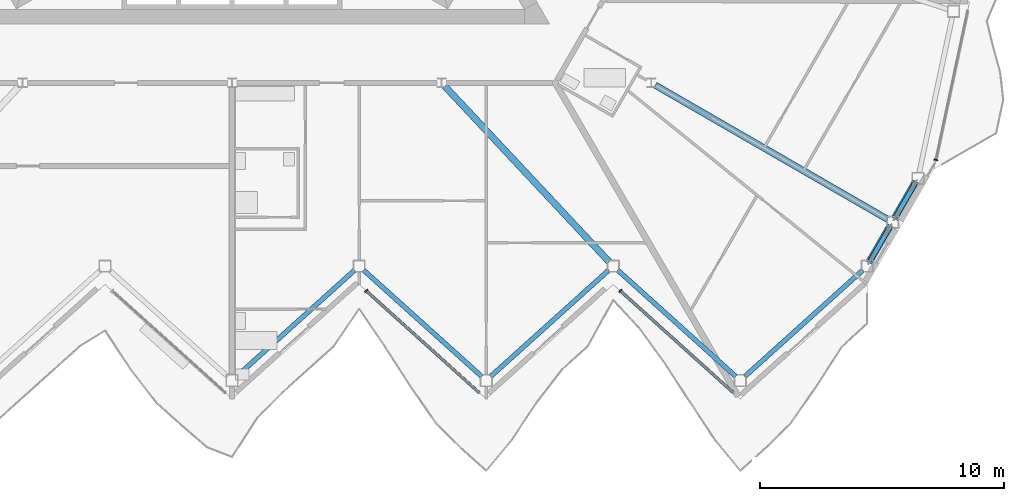
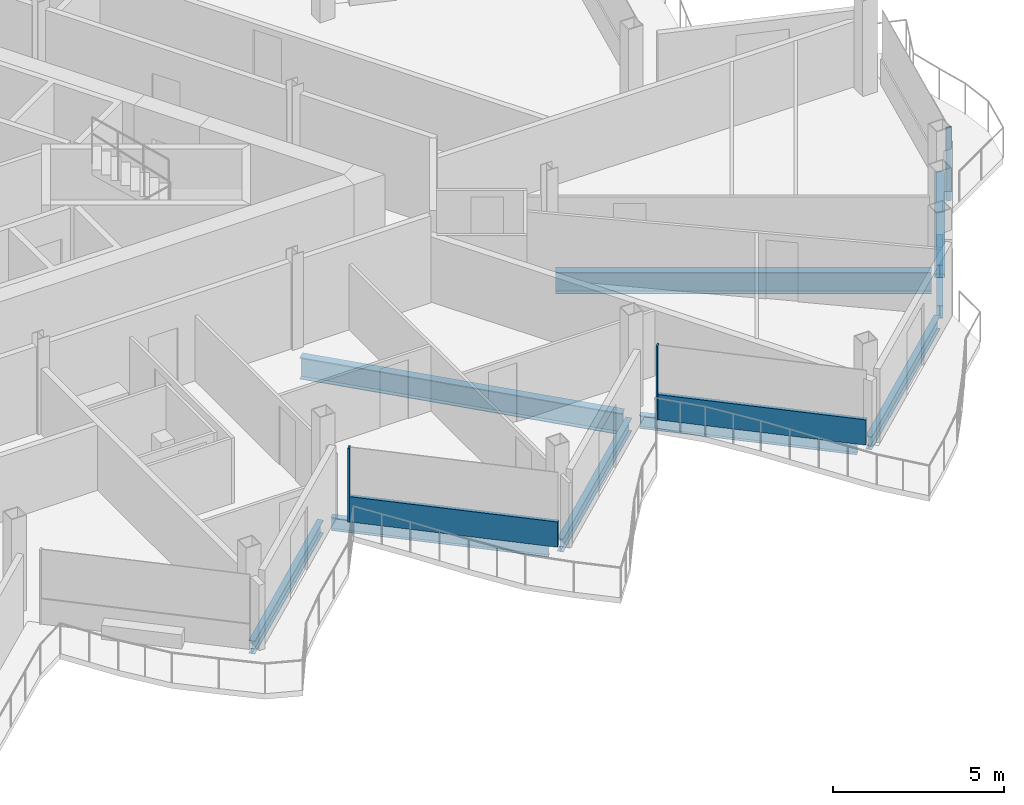
# One storey, part 7 of 26: 9 beams, 7 members, 3 elements without a shape of their own.
"""IFC4 building model written with IfcOpenShell, lengths in metres."""

from ifc_helpers import new_model, si_unit, direction, frame, origin, origin_2d, place, context, subcontext, project, spatial, rectangle, hollow_rectangle, i_section, extrude, material, layer, layer_set, material_profile, profile_set, type_object, element, aggregate, save


model = new_model("IFC4")

# Units and contexts
model_context = context("Model", 3, precision=1e-05, world=origin(), true_north=direction((0.0, 1.0)))
body_context = subcontext(model_context, "Body", "Model", "MODEL_VIEW")
ifc_project = project(units=[si_unit("LENGTHUNIT", "METRE"), si_unit("AREAUNIT", "SQUARE_METRE"), si_unit("VOLUMEUNIT", "CUBIC_METRE"), si_unit("PLANEANGLEUNIT", "RADIAN"), si_unit("MASSUNIT", "GRAM", prefix="KILO")], contexts=[model_context])

# Site, building, storey
site_placement = place(None, origin())
site = spatial("IfcSite", under=ifc_project, at=site_placement, CompositionType="ELEMENT")
building_placement = place(site_placement, origin())
building = spatial("IfcBuilding", under=site, at=building_placement, Name="Cormorant Prow Tower", CompositionType="ELEMENT")
storey_placement = place(building_placement, frame((0.0, 0.0, 364.39990234375)))
storey = spatial("IfcBuildingStorey", under=building, at=storey_placement, Name="L81", CompositionType="ELEMENT", Elevation=364.39990234375)

# Members
ifc_material_1 = material(Name="Structural steel ASTM A500 Gr C", Category="steel")
ifc_material_profile_1 = material_profile(ifc_material_1, hollow_rectangle(XDim=0.3046875, YDim=0.3046875, WallThickness=0.01171875, at=origin_2d()), Name="HSS12x12x1/2")
ifc_profile_set_1 = profile_set([ifc_material_profile_1], Name="Structural steel ASTM A500 Gr C")
member_type_1 = type_object("IfcMemberType", Name="Chamfer brace HSS12x12x1/2", PredefinedType="BRACE", material=ifc_profile_set_1)
member_1_placement = place(storey_placement, frame((26.123291015625, -17.192138671875, 0.770751953125), z_axis=(0.41132825952, 0.712359043209, 0.568641940485), x_axis=(-0.866000359435, 0.500043375578, 0.0)))
element("IfcMember", 1, at=member_1_placement, inside=storey, type_object=member_type_1, Name="Chamfer brace BR3 at ESE00 L81", PredefinedType="BRACE", context=body_context, shape_type="SweptSolid", body=[
    extrude(hollow_rectangle(XDim=0.3046875, YDim=0.3046875, WallThickness=0.01171875, at=origin_2d()), origin(), (0.0, 0.0, 1.0), 1.92138671875),
])
member_2_placement = place(storey_placement, frame((27.160400390625, -15.39599609375, 0.770751953125), z_axis=(0.411259909174, 0.712333680754, 0.568723143867), x_axis=(-0.866028632512, 0.499994407638, 0.0)))
element("IfcMember", 2, at=member_2_placement, inside=storey, type_object=member_type_1, Name="Chamfer brace BR3 at ESE01 L81", PredefinedType="BRACE", context=body_context, shape_type="SweptSolid", body=[
    extrude(hollow_rectangle(XDim=0.3046875, YDim=0.3046875, WallThickness=0.01171875, at=origin_2d()), origin(), (0.0, 0.0, 1.0), 1.921142578125),
])

# Beams
ifc_material_2 = material(Name="Structural steel ASTM A992 Gr 50", Category="steel")
ifc_material_profile_2 = material_profile(ifc_material_2, i_section(OverallWidth=0.267822265625, OverallDepth=0.77001953125, WebThickness=0.015625, FlangeThickness=0.025390625, at=origin_2d()), Name="W30x132")
ifc_profile_set_2 = profile_set([ifc_material_profile_2], Name="Structural steel ASTM A992 Gr 50")
beam_type_1 = type_object("IfcBeamType", Name="Radial floor beam W30x132", PredefinedType="BEAM", material=ifc_profile_set_2)
beam_1_placement = place(storey_placement, frame((8.706298828125, -10.0419921875, -0.684814453125), z_axis=(0.683430760659, -0.730015339144, 0.0), x_axis=(0.730015339144, 0.683430760659, 0.0)))
element("IfcBeam", 3, at=beam_1_placement, inside=storey, type_object=beam_type_1, Name="Radial floor beam FB3 8 L81", PredefinedType="BEAM", context=body_context, shape_type="SweptSolid", body=[
    extrude(i_section(OverallWidth=0.267822265625, OverallDepth=0.77001953125, WebThickness=0.015625, FlangeThickness=0.025390625, at=origin_2d()), origin(), (0.0, 0.0, 1.0), 9.8369140625),
])
beam_2_placement = place(storey_placement, frame((17.31884765625, -9.9990234375, -0.684814453125), z_axis=(0.866018830095, -0.500011385791, 0.0), x_axis=(0.500011385791, 0.866018830095, 0.0)))
element("IfcBeam", 4, at=beam_2_placement, inside=storey, type_object=beam_type_1, Name="Radial floor beam FB3 9 L81", PredefinedType="BEAM", context=body_context, shape_type="SweptSolid", body=[
    extrude(i_section(OverallWidth=0.267822265625, OverallDepth=0.77001953125, WebThickness=0.015625, FlangeThickness=0.025390625, at=origin_2d()), origin(), (0.0, 0.0, 1.0), 10.971435546875),
])

# Curtain wall, member
ifc_material_3 = material(Name="Aluminium 6063-T6", Category="aluminium")
ifc_layer = layer(ifc_material_3, 0.159912109375)
ifc_layer_set = layer_set([ifc_layer], Name="Aluminium 6063-T6")
curtain_wall_type = type_object("IfcCurtainWallType", Name="Residential unitised curtain wall 160", PredefinedType="NOTDEFINED", material=ifc_layer_set)
curtain_wall_1_placement = place(storey_placement, origin())
curtain_wall_1 = element("IfcCurtainWall", 5, at=curtain_wall_1_placement, inside=storey, type_object=curtain_wall_type, Name="Residential curtain wall S06", PredefinedType="NOTDEFINED")
ifc_material_4 = material(Name="Aluminium 6063-T6", Category="aluminium")
ifc_material_profile_3 = material_profile(ifc_material_4, rectangle(XDim=0.159912109375, YDim=0.050048828125, at=origin_2d()), Name="Residential mullion 50x160")
ifc_profile_set_3 = profile_set([ifc_material_profile_3], Name="Aluminium 6063-T6")
member_type_2 = type_object("IfcMemberType", Name="Residential mullion 50x160", PredefinedType="MULLION", material=ifc_profile_set_3)
member_3_placement = place(storey_placement, frame((5.490478515625, -18.4189453125, 0.0), z_axis=(0.0, 0.0, 1.0), x_axis=(0.669130682884, 0.743144756574, 0.0)))
member_3 = element("IfcMember", 6, at=member_3_placement, type_object=member_type_2, Name="Residential mullion S06", PredefinedType="MULLION", context=body_context, shape_type="SweptSolid", body=[
    extrude(rectangle(XDim=0.159912109375, YDim=0.050048828125, at=origin_2d()), origin(), (0.0, 0.0, 1.0), 2.634033203125),
])

curtain_wall_2_placement = place(storey_placement, origin())
curtain_wall_2 = element("IfcCurtainWall", 7, at=curtain_wall_2_placement, inside=storey, type_object=curtain_wall_type, Name="Residential curtain wall S08", PredefinedType="NOTDEFINED")
member_4_placement = place(storey_placement, frame((15.890625, -18.4189453125, 0.0), z_axis=(0.0, 0.0, 1.0), x_axis=(0.669130682884, 0.743144756574, 0.0)))
member_4 = element("IfcMember", 8, at=member_4_placement, type_object=member_type_2, Name="Residential mullion S08", PredefinedType="MULLION", context=body_context, shape_type="SweptSolid", body=[
    extrude(rectangle(XDim=0.159912109375, YDim=0.050048828125, at=origin_2d()), origin(), (0.0, 0.0, 1.0), 2.634033203125),
])

curtain_wall_3_placement = place(storey_placement, origin())
curtain_wall_3 = element("IfcCurtainWall", 9, at=curtain_wall_3_placement, inside=storey, type_object=curtain_wall_type, Name="Residential curtain wall ENE00", PredefinedType="NOTDEFINED")
member_5_placement = place(storey_placement, frame((28.805908203125, -13.055419921875, 0.0), z_axis=(0.0, 0.0, 1.0), x_axis=(-0.978147586701, 0.207911756835, 0.0)))
member_5 = element("IfcMember", 10, at=member_5_placement, type_object=member_type_2, Name="Residential mullion ENE00", PredefinedType="MULLION", context=body_context, shape_type="SweptSolid", body=[
    extrude(rectangle(XDim=0.159912109375, YDim=0.050048828125, at=origin_2d()), origin(), (0.0, 0.0, 1.0), 2.634033203125),
])
aggregate(curtain_wall_3, [member_5])

# Member
ifc_material_5 = material(Name="Terracotta", Category="masonry")
ifc_material_profile_4 = material_profile(ifc_material_5, rectangle(XDim=0.1201171875, YDim=0.89990234375, at=origin_2d()), Name="Residential terracotta spandrel rail 120x900")
ifc_profile_set_4 = profile_set([ifc_material_profile_4], Name="Terracotta")
member_type_3 = type_object("IfcMemberType", Name="Residential terracotta spandrel rail 120x900", PredefinedType="USERDEFINED", material=ifc_profile_set_4)
member_6_placement = place(storey_placement, frame((5.509033203125, -18.435791015625, 0.4501953125), z_axis=(0.743159360055, -0.669114463723, 0.0), x_axis=(0.669114463723, 0.743159360055, 0.0)))
member_6 = element("IfcMember", 11, at=member_6_placement, type_object=member_type_3, Name="Residential spandrel rail S06", ObjectType="TRANSOM", PredefinedType="USERDEFINED", context=body_context, shape_type="SweptSolid", body=[
    extrude(rectangle(XDim=0.1201171875, YDim=0.89990234375, at=origin_2d()), origin(), (0.0, 0.0, 1.0), 6.21533203125),
])

aggregate(curtain_wall_1, [member_3, member_6])

member_7_placement = place(storey_placement, frame((15.9091796875, -18.435791015625, 0.4501953125), z_axis=(0.743159360055, -0.669114463723, 0.0), x_axis=(0.669114463723, 0.743159360055, 0.0)))
member_7 = element("IfcMember", 12, at=member_7_placement, type_object=member_type_3, Name="Residential spandrel rail S08", ObjectType="TRANSOM", PredefinedType="USERDEFINED", context=body_context, shape_type="SweptSolid", body=[
    extrude(rectangle(XDim=0.1201171875, YDim=0.89990234375, at=origin_2d()), origin(), (0.0, 0.0, 1.0), 6.21533203125),
])

aggregate(curtain_wall_2, [member_4, member_7])

# Beams
ifc_material_6 = material(Name="Structural steel ASTM A992 Gr 50", Category="steel")
ifc_material_profile_5 = material_profile(ifc_material_6, i_section(OverallWidth=0.19287109375, OverallDepth=0.466064453125, WebThickness=0.011474609375, FlangeThickness=0.01904296875, at=origin_2d()), Name="W18x65")
ifc_profile_set_5 = profile_set([ifc_material_profile_5], Name="Structural steel ASTM A992 Gr 50")
beam_type_2 = type_object("IfcBeamType", Name="Spandrel beam W18x65", PredefinedType="SPANDREL", material=ifc_profile_set_5)
for number, where, z_axis, x_axis, name in (
    (13, (0.185791015625, -21.920654296875, -0.532958984375), (0.743131573737, 0.669145323614, 0.0), (-0.669145323614, 0.743131573737, 0.0), "Spandrel beam SB4 S05-S06 L81"),
    (14, (5.3857421875, -17.572998046875, -0.532958984375), (0.743131573737, -0.669145323614, 0.0), (0.669145323614, 0.743131573737, 0.0), "Spandrel beam SB4 S06-S07 L81"),
):
    element("IfcBeam", number, at=place(storey_placement, frame(where, z_axis=z_axis, x_axis=x_axis)), inside=storey, type_object=beam_type_2, Name=name, PredefinedType="SPANDREL", context=body_context, shape_type="SweptSolid", body=[
        extrude(i_section(OverallWidth=0.19287109375, OverallDepth=0.466064453125, WebThickness=0.011474609375, FlangeThickness=0.01904296875, at=origin_2d()), origin(), (0.0, 0.0, 1.0), 6.497314453125),
    ])
beam_3_placement = place(storey_placement, frame((10.585693359375, -21.920654296875, -0.532958984375), z_axis=(0.743148397689, 0.669126638995, 0.0), x_axis=(-0.669126638995, 0.743148397689, 0.0)))
element("IfcBeam", 15, at=beam_3_placement, inside=storey, type_object=beam_type_2, Name="Spandrel beam SB4 S07-S08 L81", PredefinedType="SPANDREL", context=body_context, shape_type="SweptSolid", body=[
    extrude(i_section(OverallWidth=0.19287109375, OverallDepth=0.466064453125, WebThickness=0.011474609375, FlangeThickness=0.01904296875, at=origin_2d()), origin(), (0.0, 0.0, 1.0), 6.49755859375),
])
for number, where, z_axis, x_axis, name in (
    (16, (15.785888671875, -17.572998046875, -0.532958984375), (0.743131573737, -0.669145323614, 0.0), (0.669145323614, 0.743131573737, 0.0), "Spandrel beam SB4 S08-S09 L81"),
    (17, (20.98583984375, -21.920654296875, -0.532958984375), (0.743131573737, 0.669145323614, 0.0), (-0.669145323614, 0.743131573737, 0.0), "Spandrel beam SB4 S09-ESE00 L81"),
):
    element("IfcBeam", number, at=place(storey_placement, frame(where, z_axis=z_axis, x_axis=x_axis)), inside=storey, type_object=beam_type_2, Name=name, PredefinedType="SPANDREL", context=body_context, shape_type="SweptSolid", body=[
        extrude(i_section(OverallWidth=0.19287109375, OverallDepth=0.466064453125, WebThickness=0.011474609375, FlangeThickness=0.01904296875, at=origin_2d()), origin(), (0.0, 0.0, 1.0), 6.497314453125),
    ])
for number, where, z_axis, x_axis, name in (
    (18, (26.125, -17.189208984375, -0.532958984375), (0.499959680857, 0.866048680801, 0.0), (-0.866048680801, 0.499959680857, 0.0), "Spandrel beam SB4 ESE00-ESE01 L81"),
    (19, (27.161865234375, -15.393310546875, -0.532958984375), (0.499959680857, 0.866048680801, 0.0), (-0.866048680801, 0.499959680857, 0.0), "Spandrel beam SB4 ESE01-ENE00 L81"),
):
    element("IfcBeam", number, at=place(storey_placement, frame(where, z_axis=z_axis, x_axis=x_axis)), inside=storey, type_object=beam_type_2, Name=name, PredefinedType="SPANDREL", context=body_context, shape_type="SweptSolid", body=[
        extrude(i_section(OverallWidth=0.19287109375, OverallDepth=0.466064453125, WebThickness=0.011474609375, FlangeThickness=0.01904296875, at=origin_2d()), origin(), (0.0, 0.0, 1.0), 1.573974609375),
    ])

save(model, "model.ifc")
